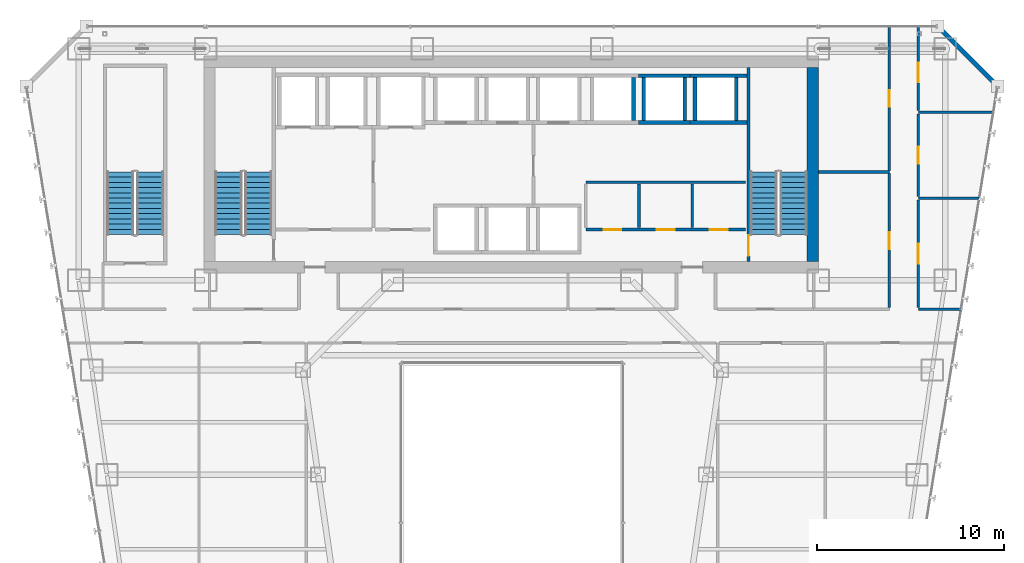
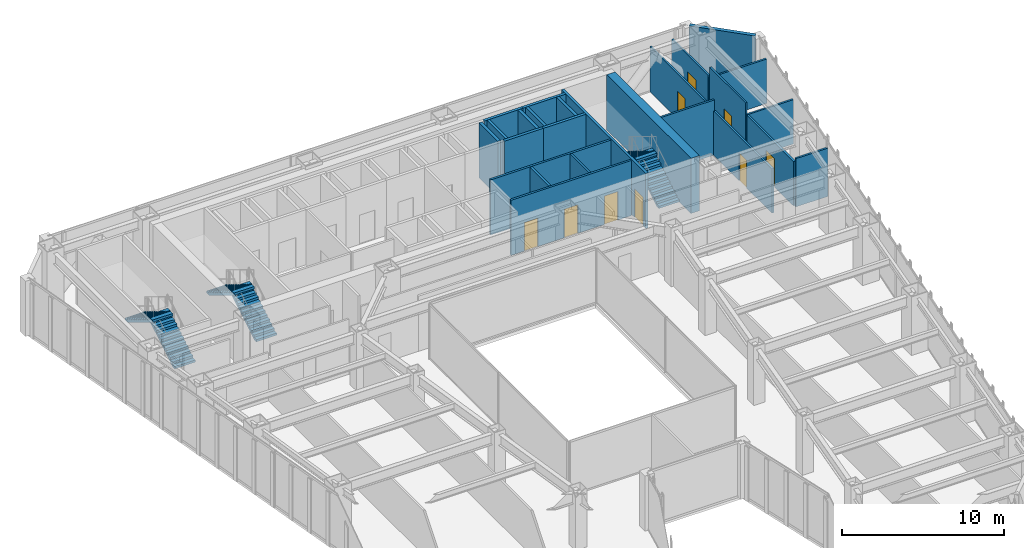
# One storey, part 38 of 47: 25 walls, 9 doors, 6 stair flights, 9 openings, 3 elements without a shape of their own.
"""IFC4 building model written with IfcOpenShell, lengths in metres."""

from ifc_helpers import new_model, si_unit, direction, frame, frame_2d, origin, place, context, subcontext, project, spatial, polyline, rectangle, outline, extrude, material, layer, layer_set, type_object, element, fill, aggregate, save


model = new_model("IFC4")

# Units and contexts
model_context = context("Model", 3, precision=1e-05, world=origin(), true_north=direction((0.0, 1.0)))
body_context = subcontext(model_context, "Body", "Model", "MODEL_VIEW")
ifc_project = project(units=[si_unit("LENGTHUNIT", "METRE"), si_unit("AREAUNIT", "SQUARE_METRE"), si_unit("VOLUMEUNIT", "CUBIC_METRE"), si_unit("PLANEANGLEUNIT", "RADIAN"), si_unit("MASSUNIT", "GRAM", prefix="KILO")], contexts=[model_context])

# Site, building, storey
site_placement = place(None, origin())
site = spatial("IfcSite", under=ifc_project, at=site_placement, CompositionType="ELEMENT")
building_placement = place(site_placement, origin())
building = spatial("IfcBuilding", under=site, at=building_placement, Name="Saevonmaru Cultural Tower", CompositionType="ELEMENT")
storey_placement = place(building_placement, frame((0.0, 0.0, 69.199951171875)))
storey = spatial("IfcBuildingStorey", under=building, at=storey_placement, Name="L14", CompositionType="ELEMENT", Elevation=69.199951171875)

# Wall
ifc_material_1 = material(Name="Concrete C60/75", Category="concrete")
ifc_layer_1 = layer(ifc_material_1, 0.60009765625, Name="Concrete C60/75")
ifc_layer_set_1 = layer_set([ifc_layer_1], Name="Concrete C60/75")
wall_type_1 = type_object("IfcWallType", Name="WL-CORE-600", PredefinedType="SHEAR", material=ifc_layer_set_1)
wall_1_placement = place(storey_placement, frame((46.10009765625, 43.39990234375, 0.0), z_axis=(0.0, 0.0, 1.0), x_axis=(0.0, 1.0, 0.0)))
element("IfcWall", 1, at=wall_1_placement, inside=storey, type_object=wall_type_1, Name="L14 Tower RC core shear wall E", PredefinedType="SHEAR", context=body_context, shape_type="SweptSolid", body=[
    extrude(rectangle(XDim=10.400146484375, YDim=0.60009765625, at=frame_2d((5.2001953125, 0.0))), origin(), (0.0, 0.0, 1.0), 4.150146484375),
])

# Wall, openings, doors
ifc_material_2 = material(Name="Gypsum Fireboard Partition", Category="gypsum")
ifc_layer_2 = layer(ifc_material_2, 0.14990234375, Name="Gypsum Fireboard Partition")
ifc_layer_set_2 = layer_set([ifc_layer_2], Name="Gypsum Fireboard Partition")
wall_type_2 = type_object("IfcWallType", Name="WL-CORE-PART-150", PredefinedType="PARTITIONING", material=ifc_layer_set_2)
wall_2_placement = place(storey_placement, frame((33.949951171875, 45.1201171875, 0.0), z_axis=(0.0, 0.0, 1.0), x_axis=(1.0, 0.0, 0.0)))
wall_2 = element("IfcWall", 2, at=wall_2_placement, inside=storey, type_object=wall_type_2, Name="L14 Core Utility South Wall", PredefinedType="PARTITIONING", context=body_context, shape_type="SweptSolid", body=[
    extrude(rectangle(XDim=8.550048828125, YDim=0.14990234375, at=frame_2d((4.27490234375, 0.0))), origin(), (0.0, 0.0, 1.0), 4.150146484375),
])
opening_1_placement = place(wall_2_placement, frame((0.949951171875, 0.0, 0.0)))
opening_1 = element("IfcOpeningElement", 3, at=opening_1_placement, cuts=wall_2, Name="Opening FD-4", PredefinedType="OPENING", context=body_context, shape_type="SweptSolid", body=[
    extrude(rectangle(XDim=0.949951171875, YDim=2.14990234375, at=frame_2d((0.47509765625, 1.074951171875))), frame((0.0, 0.0849609375, 0.0), z_axis=(0.0, -1.0, 0.0), x_axis=(1.0, 0.0, 0.0)), (0.0, 0.0, 1.0), 0.169921875),
])
opening_2_placement = place(wall_2_placement, frame((3.800048828125, 0.0, 0.0)))
opening_2 = element("IfcOpeningElement", 4, at=opening_2_placement, cuts=wall_2, Name="Opening FD-4", PredefinedType="OPENING", context=body_context, shape_type="SweptSolid", body=[
    extrude(rectangle(XDim=0.949951171875, YDim=2.14990234375, at=frame_2d((0.47509765625, 1.074951171875))), frame((0.0, 0.0849609375, 0.0), z_axis=(0.0, -1.0, 0.0), x_axis=(1.0, 0.0, 0.0)), (0.0, 0.0, 1.0), 0.169921875),
])
opening_3_placement = place(wall_2_placement, frame((6.64990234375, 0.0, 0.0)))
opening_3 = element("IfcOpeningElement", 5, at=opening_3_placement, cuts=wall_2, Name="Opening FD-4", PredefinedType="OPENING", context=body_context, shape_type="SweptSolid", body=[
    extrude(rectangle(XDim=0.949951171875, YDim=2.14990234375, at=frame_2d((0.47509765625, 1.074951171875))), frame((0.0, 0.0849609375, 0.0), z_axis=(0.0, -1.0, 0.0), x_axis=(1.0, 0.0, 0.0)), (0.0, 0.0, 1.0), 0.169921875),
])
ifc_material_3 = material(Name="Satin Bronze Anodised Aluminium", Category="aluminium")
door_type_1 = type_object("IfcDoorType", Name="DR-FD60-950", OperationType="SINGLE_SWING_LEFT", PredefinedType="DOOR", material=ifc_material_3)
door_1_placement = place(opening_1_placement, origin())
door_1 = element("IfcDoor", 6, at=door_1_placement, inside=storey, type_object=door_type_1, Name="L14 Meter Plant Door", OperationType="SINGLE_SWING_LEFT", OverallHeight=2.14990234375, OverallWidth=0.949951171875, PredefinedType="DOOR", context=body_context, shape_type="SweptSolid", body=[
    extrude(rectangle(XDim=0.949951171875, YDim=2.14990234375, at=frame_2d((0.47509765625, 1.074951171875))), frame((0.0, 0.02490234375, 0.0), z_axis=(0.0, -1.0, 0.0), x_axis=(1.0, 0.0, 0.0)), (0.0, 0.0, 1.0), 0.050048828125),
])
fill(opening_1, door_1)
door_2_placement = place(opening_2_placement, origin())
door_2 = element("IfcDoor", 7, at=door_2_placement, inside=storey, type_object=door_type_1, Name="L14 AV Rack Plant Door", OperationType="SINGLE_SWING_LEFT", OverallHeight=2.14990234375, OverallWidth=0.949951171875, PredefinedType="DOOR", context=body_context, shape_type="SweptSolid", body=[
    extrude(rectangle(XDim=0.949951171875, YDim=2.14990234375, at=frame_2d((0.47509765625, 1.074951171875))), frame((0.0, 0.02490234375, 0.0), z_axis=(0.0, -1.0, 0.0), x_axis=(1.0, 0.0, 0.0)), (0.0, 0.0, 1.0), 0.050048828125),
])
fill(opening_2, door_2)
door_3_placement = place(opening_3_placement, origin())
door_3 = element("IfcDoor", 8, at=door_3_placement, inside=storey, type_object=door_type_1, Name="L14 Archive Supply Storage Door", OperationType="SINGLE_SWING_LEFT", OverallHeight=2.14990234375, OverallWidth=0.949951171875, PredefinedType="DOOR", context=body_context, shape_type="SweptSolid", body=[
    extrude(rectangle(XDim=0.949951171875, YDim=2.14990234375, at=frame_2d((0.47509765625, 1.074951171875))), frame((0.0, 0.02490234375, 0.0), z_axis=(0.0, -1.0, 0.0), x_axis=(1.0, 0.0, 0.0)), (0.0, 0.0, 1.0), 0.050048828125),
])
fill(opening_3, door_3)

# Walls
wall_3_placement = place(storey_placement, frame((33.949951171875, 47.64990234375, 0.0), z_axis=(0.0, 0.0, 1.0), x_axis=(1.0, 0.0, 0.0)))
element("IfcWall", 9, at=wall_3_placement, inside=storey, type_object=wall_type_2, Name="L14 Core Utility North Wall", PredefinedType="PARTITIONING", context=body_context, shape_type="SweptSolid", body=[
    extrude(rectangle(XDim=8.550048828125, YDim=0.14990234375, at=frame_2d((4.27490234375, 0.0))), origin(), (0.0, 0.0, 1.0), 4.150146484375),
])
for number, where, z_axis, x_axis, name in (
    (10, (36.800048828125, 45.219970703125, 0.0), (0.0, 0.0, 1.0), (0.0, 1.0, 0.0), "L14 Utility Divider 1"),
    (11, (39.64990234375, 45.219970703125, 0.0), (0.0, 0.0, 1.0), (0.0, 1.0, 0.0), "L14 Utility Divider 2"),
):
    element("IfcWall", number, at=place(storey_placement, frame(where, z_axis=z_axis, x_axis=x_axis)), inside=storey, type_object=wall_type_2, Name=name, PredefinedType="PARTITIONING", context=body_context, shape_type="SweptSolid", body=[
        extrude(rectangle(XDim=2.330078125, YDim=0.14990234375, at=frame_2d((1.1650390625, 0.0))), origin(), (0.0, 0.0, 1.0), 4.150146484375),
    ])
ifc_material_4 = material(Name="Granite-Clad Precast Concrete C40/50", Category="masonry")
ifc_layer_3 = layer(ifc_material_4, 0.260009765625, Name="Granite-Clad Precast Concrete C40/50")
ifc_layer_set_3 = layer_set([ifc_layer_3], Name="Granite-Clad Precast Concrete C40/50")
wall_type_3 = type_object("IfcWallType", Name="WL-EXT-SPANDREL-260", PredefinedType="STANDARD", material=ifc_layer_set_3)
wall_4_placement = place(storey_placement, frame((55.886962890625, 52.9130859375, 0.0), z_axis=(0.0, 0.0, 1.0), x_axis=(-0.707106781187, 0.707106781187, 0.0)))
element("IfcWall", 12, at=wall_4_placement, inside=storey, type_object=wall_type_3, Name="L14 Chamfer Corner Spandrel Wall E9", PredefinedType="STANDARD", context=body_context, shape_type="SweptSolid", body=[
    extrude(rectangle(XDim=4.205810546875, YDim=0.260009765625, at=frame_2d((2.10302734375, 0.0))), origin(), (0.0, 0.0, 1.0), 4.150146484375),
])

# Wall, opening, door
ifc_layer_4 = layer(ifc_material_2, 0.14990234375, Name="Gypsum Fireboard Partition")
ifc_layer_set_4 = layer_set([ifc_layer_4], Name="Gypsum Fireboard Partition")
wall_type_4 = type_object("IfcWallType", Name="WL-PART-FIRE-150", PredefinedType="PARTITIONING", material=ifc_layer_set_4)
wall_5_placement = place(storey_placement, frame((51.75, 40.9375, 0.0), z_axis=(0.0, 0.0, 1.0), x_axis=(0.0, 1.0, 0.0)))
wall_5 = element("IfcWall", 13, at=wall_5_placement, inside=storey, type_object=wall_type_4, Name="L14 Sky Observatory Gallery Corridor Wall", PredefinedType="PARTITIONING", context=body_context, shape_type="SweptSolid", body=[
    extrude(rectangle(XDim=5.77490234375, YDim=0.14990234375, at=frame_2d((2.887451171875, 0.0))), origin(), (0.0, 0.0, 1.0), 3.3349609375),
])
opening_4_placement = place(wall_5_placement, frame((2.362060546875, 0.0, 0.0)))
opening_4 = element("IfcOpeningElement", 14, at=opening_4_placement, cuts=wall_5, Name="Opening ID-1", PredefinedType="OPENING", context=body_context, shape_type="SweptSolid", body=[
    extrude(rectangle(XDim=1.050048828125, YDim=2.14990234375, at=frame_2d((0.52490234375, 1.074951171875))), frame((0.0, 0.0849609375, 0.0), z_axis=(0.0, -1.0, 0.0), x_axis=(1.0, 0.0, 0.0)), (0.0, 0.0, 1.0), 0.169921875),
])
door_type_2 = type_object("IfcDoorType", Name="DR-INT-1050", OperationType="SINGLE_SWING_LEFT", PredefinedType="DOOR", material=ifc_material_3)
door_4_placement = place(opening_4_placement, origin())
door_4 = element("IfcDoor", 15, at=door_4_placement, inside=storey, type_object=door_type_2, Name="L14 Sky Observatory Gallery Door", OperationType="SINGLE_SWING_RIGHT", OverallHeight=2.14990234375, OverallWidth=1.050048828125, PredefinedType="DOOR", context=body_context, shape_type="SweptSolid", body=[
    extrude(rectangle(XDim=1.050048828125, YDim=2.14990234375, at=frame_2d((0.52490234375, 1.074951171875))), frame((0.0, 0.02490234375, 0.0), z_axis=(0.0, -1.0, 0.0), x_axis=(1.0, 0.0, 0.0)), (0.0, 0.0, 1.0), 0.050048828125),
])
fill(opening_4, door_4)

ifc_layer_5 = layer(ifc_material_2, 0.1201171875, Name="Gypsum Fireboard Partition")
ifc_layer_set_5 = layer_set([ifc_layer_5], Name="Gypsum Fireboard Partition")
wall_type_5 = type_object("IfcWallType", Name="WL-PART-GYP-120", PredefinedType="PARTITIONING", material=ifc_layer_set_5)
wall_6_placement = place(storey_placement, frame((50.199951171875, 48.2900390625, 0.0), z_axis=(0.0, 0.0, 1.0), x_axis=(0.0, 1.0, 0.0)))
wall_6 = element("IfcWall", 16, at=wall_6_placement, inside=storey, type_object=wall_type_5, Name="L14 Design Seminar Classroom Corridor Wall", PredefinedType="PARTITIONING", context=body_context, shape_type="SweptSolid", body=[
    extrude(rectangle(XDim=7.705078125, YDim=0.1201171875, at=frame_2d((3.8525390625, 0.0))), origin(), (0.0, 0.0, 1.0), 3.43505859375),
])
opening_5_placement = place(wall_6_placement, frame((3.402099609375, 0.0, 0.0)))
opening_5 = element("IfcOpeningElement", 17, at=opening_5_placement, cuts=wall_6, Name="Opening ID-2", PredefinedType="OPENING", context=body_context, shape_type="SweptSolid", body=[
    extrude(rectangle(XDim=0.89990234375, YDim=2.10009765625, at=frame_2d((0.449951171875, 1.050048828125))), frame((0.0, 0.070068359375, 0.0), z_axis=(0.0, -1.0, 0.0), x_axis=(1.0, 0.0, 0.0)), (0.0, 0.0, 1.0), 0.14013671875),
])
ifc_material_5 = material(Name="Acoustic Stained Oak Timber", Category="wood")
door_type_3 = type_object("IfcDoorType", Name="DR-INT-900", OperationType="SINGLE_SWING_RIGHT", PredefinedType="DOOR", material=ifc_material_5)
door_5_placement = place(opening_5_placement, origin())
door_5 = element("IfcDoor", 18, at=door_5_placement, inside=storey, type_object=door_type_3, Name="L14 Design Seminar Classroom Door", OperationType="SINGLE_SWING_LEFT", OverallHeight=2.10009765625, OverallWidth=0.89990234375, PredefinedType="DOOR", context=body_context, shape_type="SweptSolid", body=[
    extrude(rectangle(XDim=0.89990234375, YDim=2.10009765625, at=frame_2d((0.449951171875, 1.050048828125))), frame((0.0, 0.02490234375, 0.0), z_axis=(0.0, -1.0, 0.0), x_axis=(1.0, 0.0, 0.0)), (0.0, 0.0, 1.0), 0.050048828125),
])
fill(opening_5, door_5)

wall_7_placement = place(storey_placement, frame((51.75, 46.887451171875, 0.0), z_axis=(0.0, 0.0, 1.0), x_axis=(0.0, 1.0, 0.0)))
wall_7 = element("IfcWall", 19, at=wall_7_placement, inside=storey, type_object=wall_type_5, Name="L14 Civic Policy Meeting Room Corridor Wall", PredefinedType="PARTITIONING", context=body_context, shape_type="SweptSolid", body=[
    extrude(rectangle(XDim=4.425048828125, YDim=0.1201171875, at=frame_2d((2.21240234375, 0.0))), origin(), (0.0, 0.0, 1.0), 4.150146484375),
])
opening_6_placement = place(wall_7_placement, frame((1.761962890625, 0.0, 0.0)))
opening_6 = element("IfcOpeningElement", 20, at=opening_6_placement, cuts=wall_7, Name="Opening ID-2", PredefinedType="OPENING", context=body_context, shape_type="SweptSolid", body=[
    extrude(rectangle(XDim=0.89990234375, YDim=2.10009765625, at=frame_2d((0.449951171875, 1.050048828125))), frame((0.0, 0.070068359375, 0.0), z_axis=(0.0, -1.0, 0.0), x_axis=(1.0, 0.0, 0.0)), (0.0, 0.0, 1.0), 0.14013671875),
])
door_6_placement = place(opening_6_placement, origin())
door_6 = element("IfcDoor", 21, at=door_6_placement, inside=storey, type_object=door_type_3, Name="L14 Civic Policy Meeting Room Door", OperationType="SINGLE_SWING_LEFT", OverallHeight=2.10009765625, OverallWidth=0.89990234375, PredefinedType="DOOR", context=body_context, shape_type="SweptSolid", body=[
    extrude(rectangle(XDim=0.89990234375, YDim=2.10009765625, at=frame_2d((0.449951171875, 1.050048828125))), frame((0.0, 0.02490234375, 0.0), z_axis=(0.0, -1.0, 0.0), x_axis=(1.0, 0.0, 0.0)), (0.0, 0.0, 1.0), 0.050048828125),
])
fill(opening_6, door_6)

wall_8_placement = place(storey_placement, frame((51.75, 51.487548828125, 0.0), z_axis=(0.0, 0.0, 1.0), x_axis=(0.0, 1.0, 0.0)))
wall_8 = element("IfcWall", 22, at=wall_8_placement, inside=storey, type_object=wall_type_5, Name="L14 Panorama Reading Room Corridor Wall", PredefinedType="PARTITIONING", context=body_context, shape_type="SweptSolid", body=[
    extrude(rectangle(XDim=4.507568359375, YDim=0.1201171875, at=frame_2d((2.25390625, 0.0))), origin(), (0.0, 0.0, 1.0), 3.43505859375),
])
opening_7_placement = place(wall_8_placement, frame((1.509033203125, 0.0, 0.0)))
opening_7 = element("IfcOpeningElement", 23, at=opening_7_placement, cuts=wall_8, Name="Opening ID-1", PredefinedType="OPENING", context=body_context, shape_type="SweptSolid", body=[
    extrude(rectangle(XDim=1.050048828125, YDim=2.14990234375, at=frame_2d((0.52490234375, 1.074951171875))), frame((0.0, 0.070068359375, 0.0), z_axis=(0.0, -1.0, 0.0), x_axis=(1.0, 0.0, 0.0)), (0.0, 0.0, 1.0), 0.14013671875),
])
door_7_placement = place(opening_7_placement, origin())
door_7 = element("IfcDoor", 24, at=door_7_placement, inside=storey, type_object=door_type_2, Name="L14 Panorama Reading Room Door", OperationType="SINGLE_SWING_RIGHT", OverallHeight=2.14990234375, OverallWidth=1.050048828125, PredefinedType="DOOR", context=body_context, shape_type="SweptSolid", body=[
    extrude(rectangle(XDim=1.050048828125, YDim=2.14990234375, at=frame_2d((0.52490234375, 1.074951171875))), frame((0.0, 0.02490234375, 0.0), z_axis=(0.0, -1.0, 0.0), x_axis=(1.0, 0.0, 0.0)), (0.0, 0.0, 1.0), 0.050048828125),
])
fill(opening_7, door_7)

# Walls
ifc_layer_6 = layer(ifc_material_2, 0.135009765625, Name="Gypsum Fireboard Partition")
ifc_layer_set_6 = layer_set([ifc_layer_6], Name="Gypsum Fireboard Partition")
wall_type_6 = type_object("IfcWallType", Name="WL-PART-GYP-135", PredefinedType="PARTITIONING", material=ifc_layer_set_6)
wall_9_placement = place(storey_placement, frame((51.75, 40.85009765625, 0.0), z_axis=(0.0, 0.0, 1.0), x_axis=(1.0, 0.0, 0.0)))
element("IfcWall", 25, at=wall_9_placement, inside=storey, type_object=wall_type_6, Name="L14 NE Wing South Wall", PredefinedType="PARTITIONING", context=body_context, shape_type="SweptSolid", body=[
    extrude(rectangle(XDim=2.28662109375, YDim=0.135009765625, at=frame_2d((1.143310546875, 0.0))), origin(), (0.0, 0.0, 1.0), 3.635009765625),
])
wall_10_placement = place(storey_placement, frame((51.75, 46.800048828125, 0.0), z_axis=(0.0, 0.0, 1.0), x_axis=(1.0, 0.0, 0.0)))
element("IfcWall", 26, at=wall_10_placement, inside=storey, type_object=wall_type_6, Name="L14 NE Studio Divider 1", PredefinedType="PARTITIONING", context=body_context, shape_type="SweptSolid", body=[
    extrude(rectangle(XDim=3.26171875, YDim=0.135009765625, at=frame_2d((1.630859375, 0.0))), origin(), (0.0, 0.0, 1.0), 3.3349609375),
])
wall_11_placement = place(storey_placement, frame((51.75, 51.39990234375, 0.0), z_axis=(0.0, 0.0, 1.0), x_axis=(1.0, 0.0, 0.0)))
element("IfcWall", 27, at=wall_11_placement, inside=storey, type_object=wall_type_6, Name="L14 NE Studio Divider 2", PredefinedType="PARTITIONING", context=body_context, shape_type="SweptSolid", body=[
    extrude(rectangle(XDim=4.015380859375, YDim=0.135009765625, at=frame_2d((2.0078125, 0.0))), origin(), (0.0, 0.0, 1.0), 3.3349609375),
])
ifc_layer_7 = layer(ifc_material_2, 0.139892578125, Name="Gypsum Fireboard Partition")
ifc_layer_set_7 = layer_set([ifc_layer_7], Name="Gypsum Fireboard Partition")
wall_type_7 = type_object("IfcWallType", Name="WL-PART-WET-140", PredefinedType="PARTITIONING", material=ifc_layer_set_7)
wall_12_placement = place(storey_placement, frame((46.419921875, 48.199951171875, 0.0), z_axis=(0.0, 0.0, 1.0), x_axis=(1.0, 0.0, 0.0)))
element("IfcWall", 28, at=wall_12_placement, inside=storey, type_object=wall_type_7, Name="L14 Washroom North Wall", PredefinedType="PARTITIONING", context=body_context, shape_type="SweptSolid", body=[
    extrude(rectangle(XDim=3.780029296875, YDim=0.139892578125, at=frame_2d((1.89013671875, 0.0))), origin(), (0.0, 0.0, 1.0), 4.150146484375),
])

# Wall, opening, door
wall_13_placement = place(storey_placement, frame((50.199951171875, 40.93994140625, 0.0), z_axis=(0.0, 0.0, 1.0), x_axis=(0.0, 1.0, 0.0)))
wall_13 = element("IfcWall", 29, at=wall_13_placement, inside=storey, type_object=wall_type_7, Name="L14 Washroom Corridor Wall", PredefinedType="PARTITIONING", context=body_context, shape_type="SweptSolid", body=[
    extrude(rectangle(XDim=7.170166015625, YDim=0.139892578125, at=frame_2d((3.5849609375, 0.0))), origin(), (0.0, 0.0, 1.0), 3.3349609375),
])
opening_8_placement = place(wall_13_placement, frame((3.135009765625, 0.0, 0.0)))
opening_8 = element("IfcOpeningElement", 30, at=opening_8_placement, cuts=wall_13, Name="Opening ID-2", PredefinedType="OPENING", context=body_context, shape_type="SweptSolid", body=[
    extrude(rectangle(XDim=0.89990234375, YDim=2.10009765625, at=frame_2d((0.449951171875, 1.050048828125))), frame((0.0, 0.080078125, 0.0), z_axis=(0.0, -1.0, 0.0), x_axis=(1.0, 0.0, 0.0)), (0.0, 0.0, 1.0), 0.159912109375),
])
door_8_placement = place(opening_8_placement, origin())
door_8 = element("IfcDoor", 31, at=door_8_placement, inside=storey, type_object=door_type_3, Name="L14 Public Accessible Washrooms Door", OperationType="SINGLE_SWING_RIGHT", OverallHeight=2.10009765625, OverallWidth=0.89990234375, PredefinedType="DOOR", context=body_context, shape_type="SweptSolid", body=[
    extrude(rectangle(XDim=0.89990234375, YDim=2.10009765625, at=frame_2d((0.449951171875, 1.050048828125))), frame((0.0, 0.02490234375, 0.0), z_axis=(0.0, -1.0, 0.0), x_axis=(1.0, 0.0, 0.0)), (0.0, 0.0, 1.0), 0.050048828125),
])
fill(opening_8, door_8)

# Walls
ifc_material_6 = material(Name="Concrete C40/50", Category="concrete")
ifc_layer_8 = layer(ifc_material_6, 0.199951171875, Name="Concrete C40/50")
ifc_layer_set_8 = layer_set([ifc_layer_8], Name="Concrete C40/50")
wall_type_8 = type_object("IfcWallType", Name="WL-SHAFT-200", PredefinedType="SHEAR", material=ifc_layer_set_8)
wall_14_placement = place(storey_placement, frame((36.5, 50.949951171875, 0.0), z_axis=(0.0, 0.0, 1.0), x_axis=(0.0, 1.0, 0.0)))
element("IfcWall", 32, at=wall_14_placement, inside=storey, type_object=wall_type_8, Name="L14 Lift PL-H1 Hoistway Wall E", PredefinedType="SHEAR", context=body_context, shape_type="SweptSolid", body=[
    extrude(rectangle(XDim=2.300048828125, YDim=0.199951171875, at=frame_2d((1.14990234375, 0.0))), origin(), (0.0, 0.0, 1.0), 4.150146484375),
])
for number, where, z_axis, x_axis, name in (
    (33, (36.77490234375, 50.85009765625, 0.0), (0.0, 0.0, 1.0), (1.0, 0.0, 0.0), "L14 Lift PL-H2 Hoistway Wall S"),
    (34, (36.77490234375, 53.35009765625, 0.0), (0.0, 0.0, 1.0), (1.0, 0.0, 0.0), "L14 Lift PL-H2 Hoistway Wall N"),
):
    element("IfcWall", number, at=place(storey_placement, frame(where, z_axis=z_axis, x_axis=x_axis)), inside=storey, type_object=wall_type_8, Name=name, PredefinedType="SHEAR", context=body_context, shape_type="SweptSolid", body=[
        extrude(rectangle(XDim=2.75, YDim=0.199951171875, at=frame_2d((1.375, 0.0))), origin(), (0.0, 0.0, 1.0), 4.150146484375),
    ])
for number, where, z_axis, x_axis, name in (
    (35, (37.050048828125, 50.949951171875, 0.0), (0.0, 0.0, 1.0), (0.0, 1.0, 0.0), "L14 Lift PL-H2 Hoistway Wall W"),
    (36, (39.25, 50.949951171875, 0.0), (0.0, 0.0, 1.0), (0.0, 1.0, 0.0), "L14 Lift PL-H2 Hoistway Wall E"),
):
    element("IfcWall", number, at=place(storey_placement, frame(where, z_axis=z_axis, x_axis=x_axis)), inside=storey, type_object=wall_type_8, Name=name, PredefinedType="SHEAR", context=body_context, shape_type="SweptSolid", body=[
        extrude(rectangle(XDim=2.300048828125, YDim=0.199951171875, at=frame_2d((1.14990234375, 0.0))), origin(), (0.0, 0.0, 1.0), 4.150146484375),
    ])
for number, where, z_axis, x_axis, name in (
    (37, (39.52490234375, 50.85009765625, 0.0), (0.0, 0.0, 1.0), (1.0, 0.0, 0.0), "L14 Lift PL-H3 Hoistway Wall S"),
    (38, (39.52490234375, 53.35009765625, 0.0), (0.0, 0.0, 1.0), (1.0, 0.0, 0.0), "L14 Lift PL-H3 Hoistway Wall N"),
):
    element("IfcWall", number, at=place(storey_placement, frame(where, z_axis=z_axis, x_axis=x_axis)), inside=storey, type_object=wall_type_8, Name=name, PredefinedType="SHEAR", context=body_context, shape_type="SweptSolid", body=[
        extrude(rectangle(XDim=3.045166015625, YDim=0.199951171875, at=frame_2d((1.5224609375, 0.0))), origin(), (0.0, 0.0, 1.0), 4.150146484375),
    ])
for number, where, z_axis, x_axis, name in (
    (39, (39.800048828125, 50.949951171875, 0.0), (0.0, 0.0, 1.0), (0.0, 1.0, 0.0), "L14 Lift PL-H3 Hoistway Wall W"),
    (40, (42.0, 50.949951171875, 0.0), (0.0, 0.0, 1.0), (0.0, 1.0, 0.0), "L14 Lift PL-H3 Hoistway Wall E"),
):
    element("IfcWall", number, at=place(storey_placement, frame(where, z_axis=z_axis, x_axis=x_axis)), inside=storey, type_object=wall_type_8, Name=name, PredefinedType="SHEAR", context=body_context, shape_type="SweptSolid", body=[
        extrude(rectangle(XDim=2.300048828125, YDim=0.199951171875, at=frame_2d((1.14990234375, 0.0))), origin(), (0.0, 0.0, 1.0), 4.150146484375),
    ])

# Wall, opening, door
ifc_layer_9 = layer(ifc_material_6, 0.179931640625, Name="Concrete C40/50")
ifc_layer_set_9 = layer_set([ifc_layer_9], Name="Concrete C40/50")
wall_type_9 = type_object("IfcWallType", Name="WL-STSHAFT-180", PredefinedType="SHEAR", material=ifc_layer_set_9)
wall_15_placement = place(storey_placement, frame((42.659912109375, 53.800048828125, 0.0), z_axis=(0.0, 0.0, 1.0), x_axis=(0.0, -1.0, 0.0)))
wall_15 = element("IfcWall", 41, at=wall_15_placement, inside=storey, type_object=wall_type_9, Name="L14 Stair ST-2 Structural Shaft Wall 1", PredefinedType="SHEAR", context=body_context, shape_type="SweptSolid", body=[
    extrude(rectangle(XDim=10.400146484375, YDim=0.179931640625, at=frame_2d((5.2001953125, 0.0))), origin(), (0.0, 0.0, 1.0), 4.150146484375),
])
opening_9_placement = place(wall_15_placement, frame((8.989990234375, 0.0, 0.0)))
opening_9 = element("IfcOpeningElement", 42, at=opening_9_placement, cuts=wall_15, Name="Opening FD-2", PredefinedType="OPENING", context=body_context, shape_type="SweptSolid", body=[
    extrude(rectangle(XDim=1.10009765625, YDim=2.14990234375, at=frame_2d((0.550048828125, 1.074951171875))), frame((0.0, 0.10009765625, 0.0), z_axis=(0.0, -1.0, 0.0), x_axis=(1.0, 0.0, 0.0)), (0.0, 0.0, 1.0), 0.199951171875),
])
door_type_4 = type_object("IfcDoorType", Name="DR-FD60-1100", OperationType="SINGLE_SWING_LEFT", PredefinedType="DOOR", material=ifc_material_3)
door_9_placement = place(opening_9_placement, origin())
door_9 = element("IfcDoor", 43, at=door_9_placement, inside=storey, type_object=door_type_4, Name="L14 Protected Stair ST-2 Fire Door", OperationType="SINGLE_SWING_LEFT", OverallHeight=2.14990234375, OverallWidth=1.10009765625, PredefinedType="DOOR", context=body_context, shape_type="SweptSolid", body=[
    extrude(rectangle(XDim=1.10009765625, YDim=2.14990234375, at=frame_2d((0.550048828125, 1.074951171875))), frame((0.0, 0.02490234375, 0.0), z_axis=(0.0, -1.0, 0.0), x_axis=(1.0, 0.0, 0.0)), (0.0, 0.0, 1.0), 0.050048828125),
])
fill(opening_9, door_9)

# Stair, stair flights
stair_type = type_object("IfcStairType", Name="STR-DOGLEG-RC", PredefinedType="HALF_TURN_STAIR", material=ifc_material_6)
stair_1_placement = place(storey_placement, origin())
stair_1 = element("IfcStair", 44, at=stair_1_placement, inside=storey, type_object=stair_type, Name="L14 Protected exit stair ST-1", PredefinedType="HALF_TURN_STAIR")
ifc_material_7 = material(Name="Precast concrete C40/50", Category="concrete")
stair_flight_type = type_object("IfcStairFlightType", Name="STF-PRECAST-180", PredefinedType="STRAIGHT", material=ifc_material_7)
stair_flight_1_placement = place(storey_placement, frame((16.425048828125, 44.85009765625, 0.0), z_axis=(0.0, 0.0, 1.0), x_axis=(0.0, 1.0, 0.0)))
stair_flight_1 = element("IfcStairFlight", 45, at=stair_flight_1_placement, type_object=stair_flight_type, Name="ST-1-L14 flight 1", NumberOfRisers=13, NumberOfTreads=12, PredefinedType="STRAIGHT", RiserHeight=0.169230769, TreadLength=0.28, context=body_context, shape_type="SweptSolid", body=[
    extrude(outline(polyline([(0.0, 0.0), (0.0, 0.169189453125), (0.280029296875, 0.169189453125), (0.280029296875, 0.33837890625), (0.56005859375, 0.33837890625), (0.56005859375, 0.5078125), (0.840087890625, 0.5078125), (0.840087890625, 0.677001953125), (1.1201171875, 0.677001953125), (1.1201171875, 0.84619140625), (1.39990234375, 0.84619140625), (1.39990234375, 1.015380859375), (1.679931640625, 1.015380859375), (1.679931640625, 1.1845703125), (1.9599609375, 1.1845703125), (1.9599609375, 1.353759765625), (2.239990234375, 1.353759765625), (2.239990234375, 1.523193359375), (2.52001953125, 1.523193359375), (2.52001953125, 1.6923828125), (2.800048828125, 1.6923828125), (2.800048828125, 1.861572265625), (3.080078125, 1.861572265625), (3.080078125, 2.03076171875), (3.360107421875, 2.03076171875), (3.360107421875, 2.199951171875), (3.360107421875, 1.855712890625), (0.289794921875, 0.0), (0.0, 0.0)])), frame((0.0, 0.72509765625, 0.0), z_axis=(0.0, -1.0, 0.0), x_axis=(1.0, 0.0, 0.0)), (0.0, 0.0, 1.0), 1.449951171875),
])
stair_flight_2_placement = place(storey_placement, frame((14.824951171875, 48.2099609375, 2.199951171875), z_axis=(0.0, 0.0, 1.0), x_axis=(0.0, -1.0, 0.0)))
stair_flight_2 = element("IfcStairFlight", 46, at=stair_flight_2_placement, type_object=stair_flight_type, Name="ST-1-L14 flight 2", NumberOfRisers=13, NumberOfTreads=12, PredefinedType="STRAIGHT", RiserHeight=0.169230769, TreadLength=0.28, context=body_context, shape_type="SweptSolid", body=[
    extrude(outline(polyline([(0.0, 0.0), (0.0, 0.169189453125), (0.280029296875, 0.169189453125), (0.280029296875, 0.33837890625), (0.56005859375, 0.33837890625), (0.56005859375, 0.5078125), (0.840087890625, 0.5078125), (0.840087890625, 0.677001953125), (1.1201171875, 0.677001953125), (1.1201171875, 0.84619140625), (1.39990234375, 0.84619140625), (1.39990234375, 1.015380859375), (1.679931640625, 1.015380859375), (1.679931640625, 1.1845703125), (1.9599609375, 1.1845703125), (1.9599609375, 1.353759765625), (2.239990234375, 1.353759765625), (2.239990234375, 1.523193359375), (2.52001953125, 1.523193359375), (2.52001953125, 1.6923828125), (2.800048828125, 1.6923828125), (2.800048828125, 1.861572265625), (3.080078125, 1.861572265625), (3.080078125, 2.03076171875), (3.360107421875, 2.03076171875), (3.360107421875, 2.199951171875), (3.360107421875, 1.855712890625), (0.289794921875, 0.0), (0.0, 0.0)])), frame((0.0, 0.72509765625, 0.0), z_axis=(0.0, -1.0, 0.0), x_axis=(1.0, 0.0, 0.0)), (0.0, 0.0, 1.0), 1.449951171875),
])
aggregate(stair_1, [stair_flight_1, stair_flight_2])

stair_2_placement = place(storey_placement, origin())
stair_2 = element("IfcStair", 47, at=stair_2_placement, inside=storey, type_object=stair_type, Name="L14 Protected exit stair ST-2", PredefinedType="HALF_TURN_STAIR")
stair_flight_3_placement = place(storey_placement, frame((45.074951171875, 44.85009765625, 0.0), z_axis=(0.0, 0.0, 1.0), x_axis=(0.0, 1.0, 0.0)))
stair_flight_3 = element("IfcStairFlight", 48, at=stair_flight_3_placement, type_object=stair_flight_type, Name="ST-2-L14 flight 1", NumberOfRisers=13, NumberOfTreads=12, PredefinedType="STRAIGHT", RiserHeight=0.169230769, TreadLength=0.28, context=body_context, shape_type="SweptSolid", body=[
    extrude(outline(polyline([(0.0, 0.0), (0.0, 0.169189453125), (0.280029296875, 0.169189453125), (0.280029296875, 0.33837890625), (0.56005859375, 0.33837890625), (0.56005859375, 0.5078125), (0.840087890625, 0.5078125), (0.840087890625, 0.677001953125), (1.1201171875, 0.677001953125), (1.1201171875, 0.84619140625), (1.39990234375, 0.84619140625), (1.39990234375, 1.015380859375), (1.679931640625, 1.015380859375), (1.679931640625, 1.1845703125), (1.9599609375, 1.1845703125), (1.9599609375, 1.353759765625), (2.239990234375, 1.353759765625), (2.239990234375, 1.523193359375), (2.52001953125, 1.523193359375), (2.52001953125, 1.6923828125), (2.800048828125, 1.6923828125), (2.800048828125, 1.861572265625), (3.080078125, 1.861572265625), (3.080078125, 2.03076171875), (3.360107421875, 2.03076171875), (3.360107421875, 2.199951171875), (3.360107421875, 1.855712890625), (0.289794921875, 0.0), (0.0, 0.0)])), frame((0.0, 0.72509765625, 0.0), z_axis=(0.0, -1.0, 0.0), x_axis=(1.0, 0.0, 0.0)), (0.0, 0.0, 1.0), 1.449951171875),
])
stair_flight_4_placement = place(storey_placement, frame((43.47509765625, 48.2099609375, 2.199951171875), z_axis=(0.0, 0.0, 1.0), x_axis=(0.0, -1.0, 0.0)))
stair_flight_4 = element("IfcStairFlight", 49, at=stair_flight_4_placement, type_object=stair_flight_type, Name="ST-2-L14 flight 2", NumberOfRisers=13, NumberOfTreads=12, PredefinedType="STRAIGHT", RiserHeight=0.169230769, TreadLength=0.28, context=body_context, shape_type="SweptSolid", body=[
    extrude(outline(polyline([(0.0, 0.0), (0.0, 0.169189453125), (0.280029296875, 0.169189453125), (0.280029296875, 0.33837890625), (0.56005859375, 0.33837890625), (0.56005859375, 0.5078125), (0.840087890625, 0.5078125), (0.840087890625, 0.677001953125), (1.1201171875, 0.677001953125), (1.1201171875, 0.84619140625), (1.39990234375, 0.84619140625), (1.39990234375, 1.015380859375), (1.679931640625, 1.015380859375), (1.679931640625, 1.1845703125), (1.9599609375, 1.1845703125), (1.9599609375, 1.353759765625), (2.239990234375, 1.353759765625), (2.239990234375, 1.523193359375), (2.52001953125, 1.523193359375), (2.52001953125, 1.6923828125), (2.800048828125, 1.6923828125), (2.800048828125, 1.861572265625), (3.080078125, 1.861572265625), (3.080078125, 2.03076171875), (3.360107421875, 2.03076171875), (3.360107421875, 2.199951171875), (3.360107421875, 1.855712890625), (0.289794921875, 0.0), (0.0, 0.0)])), frame((0.0, 0.72509765625, 0.0), z_axis=(0.0, -1.0, 0.0), x_axis=(1.0, 0.0, 0.0)), (0.0, 0.0, 1.0), 1.449951171875),
])
aggregate(stair_2, [stair_flight_3, stair_flight_4])

stair_3_placement = place(storey_placement, origin())
stair_3 = element("IfcStair", 50, at=stair_3_placement, inside=storey, type_object=stair_type, Name="L14 Protected exit stair ST-3", PredefinedType="HALF_TURN_STAIR")
stair_flight_5_placement = place(storey_placement, frame((10.625, 44.85009765625, 0.0), z_axis=(0.0, 0.0, 1.0), x_axis=(0.0, 1.0, 0.0)))
stair_flight_5 = element("IfcStairFlight", 51, at=stair_flight_5_placement, type_object=stair_flight_type, Name="ST-3-L14 flight 1", NumberOfRisers=13, NumberOfTreads=12, PredefinedType="STRAIGHT", RiserHeight=0.169230769, TreadLength=0.28, context=body_context, shape_type="SweptSolid", body=[
    extrude(outline(polyline([(0.0, 0.0), (0.0, 0.169189453125), (0.280029296875, 0.169189453125), (0.280029296875, 0.33837890625), (0.56005859375, 0.33837890625), (0.56005859375, 0.5078125), (0.840087890625, 0.5078125), (0.840087890625, 0.677001953125), (1.1201171875, 0.677001953125), (1.1201171875, 0.84619140625), (1.39990234375, 0.84619140625), (1.39990234375, 1.015380859375), (1.679931640625, 1.015380859375), (1.679931640625, 1.1845703125), (1.9599609375, 1.1845703125), (1.9599609375, 1.353759765625), (2.239990234375, 1.353759765625), (2.239990234375, 1.523193359375), (2.52001953125, 1.523193359375), (2.52001953125, 1.6923828125), (2.800048828125, 1.6923828125), (2.800048828125, 1.861572265625), (3.080078125, 1.861572265625), (3.080078125, 2.03076171875), (3.360107421875, 2.03076171875), (3.360107421875, 2.199951171875), (3.360107421875, 1.855712890625), (0.289794921875, 0.0), (0.0, 0.0)])), frame((0.0, 0.72509765625, 0.0), z_axis=(0.0, -1.0, 0.0), x_axis=(1.0, 0.0, 0.0)), (0.0, 0.0, 1.0), 1.449951171875),
])
stair_flight_6_placement = place(storey_placement, frame((9.02490234375, 48.2099609375, 2.199951171875), z_axis=(0.0, 0.0, 1.0), x_axis=(0.0, -1.0, 0.0)))
stair_flight_6 = element("IfcStairFlight", 52, at=stair_flight_6_placement, type_object=stair_flight_type, Name="ST-3-L14 flight 2", NumberOfRisers=13, NumberOfTreads=12, PredefinedType="STRAIGHT", RiserHeight=0.169230769, TreadLength=0.28, context=body_context, shape_type="SweptSolid", body=[
    extrude(outline(polyline([(0.0, 0.0), (0.0, 0.169189453125), (0.280029296875, 0.169189453125), (0.280029296875, 0.33837890625), (0.56005859375, 0.33837890625), (0.56005859375, 0.5078125), (0.840087890625, 0.5078125), (0.840087890625, 0.677001953125), (1.1201171875, 0.677001953125), (1.1201171875, 0.84619140625), (1.39990234375, 0.84619140625), (1.39990234375, 1.015380859375), (1.679931640625, 1.015380859375), (1.679931640625, 1.1845703125), (1.9599609375, 1.1845703125), (1.9599609375, 1.353759765625), (2.239990234375, 1.353759765625), (2.239990234375, 1.523193359375), (2.52001953125, 1.523193359375), (2.52001953125, 1.6923828125), (2.800048828125, 1.6923828125), (2.800048828125, 1.861572265625), (3.080078125, 1.861572265625), (3.080078125, 2.03076171875), (3.360107421875, 2.03076171875), (3.360107421875, 2.199951171875), (3.360107421875, 1.855712890625), (0.289794921875, 0.0), (0.0, 0.0)])), frame((0.0, 0.72509765625, 0.0), z_axis=(0.0, -1.0, 0.0), x_axis=(1.0, 0.0, 0.0)), (0.0, 0.0, 1.0), 1.449951171875),
])
aggregate(stair_3, [stair_flight_5, stair_flight_6])

save(model, "model.ifc")
